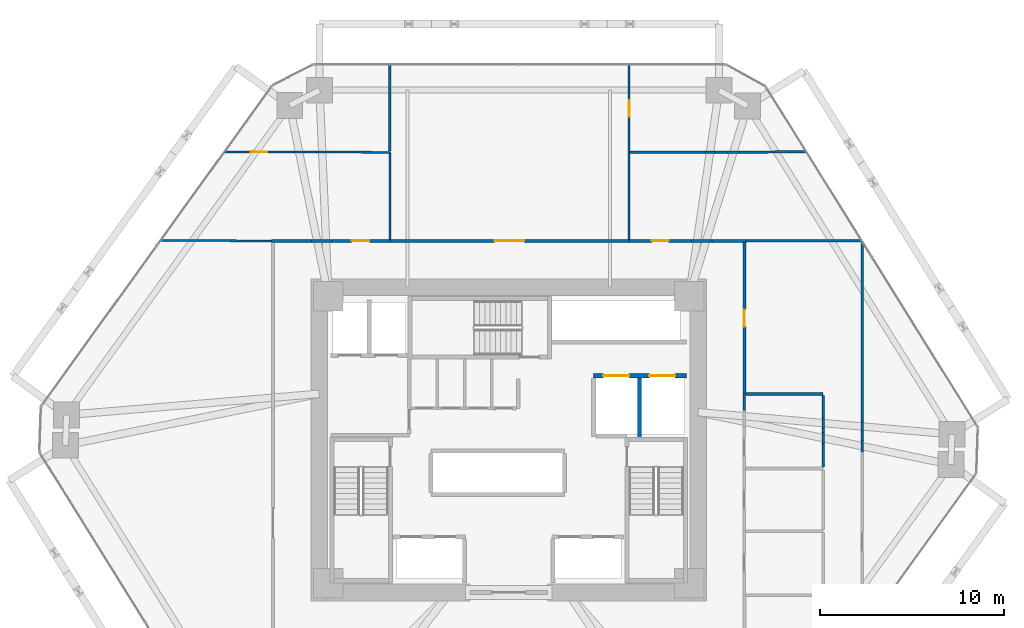
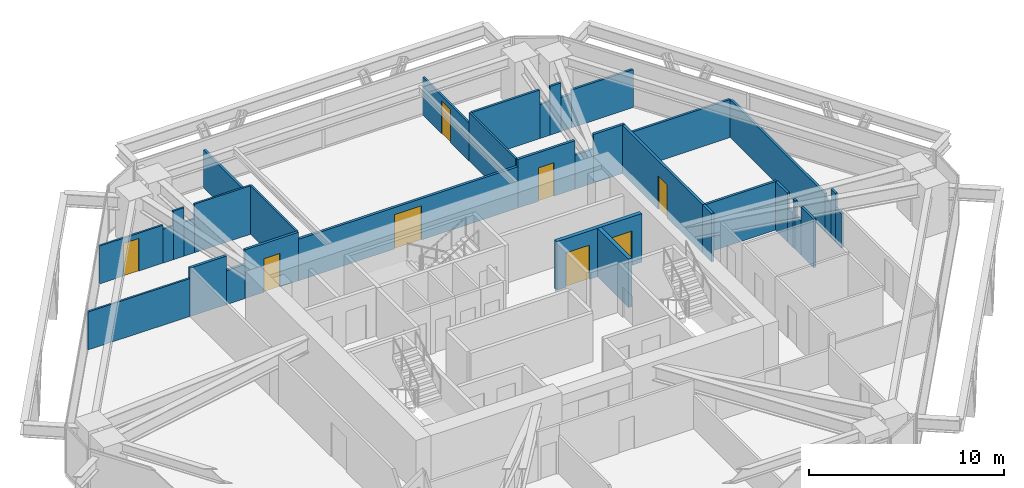
# One storey, part 13 of 15: 37 walls, 8 doors, 8 openings.
"""IFC4 building model written with IfcOpenShell, lengths in metres."""

from ifc_helpers import new_model, si_unit, direction, frame, frame_2d, origin, place, context, subcontext, project, spatial, rectangle, extrude, source, transform, mapped, material, layer, layer_set, type_object, type_shapes, element, fill, save


model = new_model("IFC4")

# Units and contexts
model_context = context("Model", 3, precision=1e-05, world=origin(), true_north=direction((0.0, 1.0)))
body_context = subcontext(model_context, "Body", "Model", "MODEL_VIEW")
ifc_project = project(units=[si_unit("LENGTHUNIT", "METRE"), si_unit("AREAUNIT", "SQUARE_METRE"), si_unit("VOLUMEUNIT", "CUBIC_METRE"), si_unit("PLANEANGLEUNIT", "RADIAN"), si_unit("MASSUNIT", "GRAM", prefix="KILO")], contexts=[model_context])

# Site, building, storey
site_placement = place(None, origin())
site = spatial("IfcSite", under=ifc_project, at=site_placement, CompositionType="ELEMENT")
building_placement = place(site_placement, origin())
building = spatial("IfcBuilding", under=site, at=building_placement, Name="Durnholm Broadcast Tower", CompositionType="ELEMENT")
storey_placement = place(building_placement, frame((0.0, 0.0, 55.5)))
storey = spatial("IfcBuildingStorey", under=building, at=storey_placement, Name="L13", CompositionType="ELEMENT", Elevation=55.5)

# Wall, opening, door
ifc_material_1 = material(Name="Operable Acoustic Panel Partition", Category="aluminium")
ifc_layer_1 = layer(ifc_material_1, 0.110107421875)
ifc_layer_set_1 = layer_set([ifc_layer_1], Name="Operable Acoustic Panel Partition")
wall_type_1 = type_object("IfcWallType", Name="WALL-MOV-110", PredefinedType="MOVABLE", material=ifc_layer_set_1)
wall_1_placement = place(storey_placement, frame((-15.4501953125, 15.6484375, 0.0), z_axis=(0.0, 0.0, 1.0), x_axis=(0.999996606967, -0.002605005814, 0.0)))
wall_1 = element("IfcWall", 1, at=wall_1_placement, inside=storey, type_object=wall_type_1, Name="L13 room dividing partition 8.9", PredefinedType="MOVABLE", context=body_context, shape_type="SweptSolid", body=[
    extrude(rectangle(XDim=3.748779296875, YDim=0.110107421875, at=frame_2d((1.87451171875, 0.0))), origin(), (0.0, 0.0, 1.0), 2.3798828125),
])
opening_1_placement = place(wall_1_placement, frame((1.424560546875, 0.0, 0.0)))
opening_1 = element("IfcOpeningElement", 2, at=opening_1_placement, cuts=wall_1, Name="Opening DW-90L", PredefinedType="OPENING", context=body_context, shape_type="SweptSolid", body=[
    extrude(rectangle(XDim=0.89990234375, YDim=2.050048828125, at=frame_2d((0.449951171875, 1.02490234375))), frame((0.0, 0.06494140625, 0.0), z_axis=(0.0, -1.0, 0.0), x_axis=(1.0, 0.0, 0.0)), (0.0, 0.0, 1.0), 0.130126953125),
])
ifc_material_2 = material(Name="Laminate Restroom Door", Category="steel")
ifc_layer_2 = layer(ifc_material_2, 0.050048828125)
ifc_layer_set_2 = layer_set([ifc_layer_2], Name="Laminate Restroom Door")
door_type_1 = type_object("IfcDoorType", Name="DOOR-WC-900L", OperationType="NOTDEFINED", PredefinedType="DOOR", material=ifc_layer_set_2)
shared_shape_1 = source(origin(), body_context, "Body", "SweptSolid", [
    extrude(rectangle(XDim=0.89990234375, YDim=2.050048828125, at=frame_2d((0.449951171875, 1.02490234375))), frame((0.0, 0.02490234375, 0.0), z_axis=(0.0, -1.0, 0.0), x_axis=(1.0, 0.0, 0.0)), (0.0, 0.0, 1.0), 0.050048828125),
])
type_shapes(door_type_1, [shared_shape_1])
door_1_placement = place(opening_1_placement, origin())
door_1 = element("IfcDoor", 3, at=door_1_placement, inside=storey, type_object=door_type_1, Name="L13 Open Plan Broadcast Workspace 3 connecting door", OperationType="SINGLE_SWING_LEFT", OverallHeight=2.050048828125, OverallWidth=0.89990234375, PredefinedType="DOOR", context=body_context, shape_type="MappedRepresentation", body=[
    mapped(shared_shape_1, transform((0.0, 0.0, 0.0), x_axis=(1.0, 0.0, 0.0), y_axis=(0.0, 1.0, 0.0), z_axis=(0.0, 0.0, 1.0), scale=1.0)),
])
fill(opening_1, door_1)

# Walls
wall_2_placement = place(storey_placement, frame((-11.084716796875, 15.636962890625, 0.0), z_axis=(0.0, 0.0, 1.0), x_axis=(0.999997419321, -0.002271860854, 0.0)))
element("IfcWall", 4, at=wall_2_placement, inside=storey, type_object=wall_type_1, Name="L13 room dividing partition 8.9", PredefinedType="MOVABLE", context=body_context, shape_type="SweptSolid", body=[
    extrude(rectangle(XDim=0.644775390625, YDim=0.110107421875, at=frame_2d((0.322265625, 0.0))), origin(), (0.0, 0.0, 1.0), 3.044921875),
])
wall_3_placement = place(storey_placement, frame((-9.83544921875, 15.6337890625, 0.0), z_axis=(0.0, 0.0, 1.0), x_axis=(0.999996610156, -0.002603781135, 0.0)))
element("IfcWall", 5, at=wall_3_placement, inside=storey, type_object=wall_type_1, Name="L13 room dividing partition 8.9", PredefinedType="MOVABLE", context=body_context, shape_type="SweptSolid", body=[
    extrude(rectangle(XDim=3.37548828125, YDim=0.110107421875, at=frame_2d((1.687744140625, 0.0))), origin(), (0.0, 0.0, 1.0), 3.044921875),
])
wall_4_placement = place(storey_placement, frame((-11.701416015625, 15.638671875, 0.0), z_axis=(0.0, 0.0, 1.0), x_axis=(0.999996160304, -0.00277116909, 0.0)))
element("IfcWall", 6, at=wall_4_placement, inside=storey, type_object=wall_type_1, Name="L13 room dividing partition 8.9", PredefinedType="MOVABLE", context=body_context, shape_type="SweptSolid", body=[
    extrude(rectangle(XDim=0.61669921875, YDim=0.110107421875, at=frame_2d((0.308349609375, 0.0))), origin(), (0.0, 0.0, 1.0), 2.130126953125),
])
wall_5_placement = place(storey_placement, frame((-10.43994140625, 15.635498046875, 0.0), z_axis=(0.0, 0.0, 1.0), x_axis=(0.999996003662, -0.002827129251, 0.0)))
element("IfcWall", 7, at=wall_5_placement, inside=storey, type_object=wall_type_1, Name="L13 room dividing partition 8.9", PredefinedType="MOVABLE", context=body_context, shape_type="SweptSolid", body=[
    extrude(rectangle(XDim=0.6044921875, YDim=0.110107421875, at=frame_2d((0.30224609375, 0.0))), origin(), (0.0, 0.0, 1.0), 2.130126953125),
])
wall_6_placement = place(storey_placement, frame((-6.4599609375, 15.625, 0.0), z_axis=(0.0, 0.0, 1.0), x_axis=(0.0, -1.0, 0.0)))
element("IfcWall", 8, at=wall_6_placement, inside=storey, type_object=wall_type_1, Name="L13 room dividing partition 8.10", PredefinedType="MOVABLE", context=body_context, shape_type="SweptSolid", body=[
    extrude(rectangle(XDim=4.736083984375, YDim=0.110107421875, at=frame_2d((2.3681640625, 0.0))), origin(), (0.0, 0.0, 1.0), 3.044921875),
])
wall_7_placement = place(storey_placement, frame((-12.889892578125, 10.810302734375, 0.0), z_axis=(0.0, 0.0, 1.0), x_axis=(-0.999992607823, 0.003845035728, 0.0)))
element("IfcWall", 9, at=wall_7_placement, inside=storey, type_object=wall_type_1, Name="L13 room dividing partition 8.18", PredefinedType="MOVABLE", context=body_context, shape_type="SweptSolid", body=[
    extrude(rectangle(XDim=6.031982421875, YDim=0.110107421875, at=frame_2d((3.01611328125, 0.0))), origin(), (0.0, 0.0, 1.0), 2.3798828125),
])
wall_8_placement = place(storey_placement, frame((6.5400390625, 15.625, 0.0), z_axis=(0.0, 0.0, 1.0), x_axis=(0.0, -1.0, 0.0)))
element("IfcWall", 10, at=wall_8_placement, inside=storey, type_object=wall_type_1, Name="L13 room dividing partition 10.11", PredefinedType="MOVABLE", context=body_context, shape_type="SweptSolid", body=[
    extrude(rectangle(XDim=4.736083984375, YDim=0.110107421875, at=frame_2d((2.3681640625, 0.0))), origin(), (0.0, 0.0, 1.0), 3.044921875),
])

# Wall, opening, door
wall_9_placement = place(storey_placement, frame((6.5400390625, 20.39990234375, 0.0), z_axis=(0.0, 0.0, 1.0), x_axis=(0.0, -1.0, 0.0)))
wall_9 = element("IfcWall", 11, at=wall_9_placement, inside=storey, type_object=wall_type_1, Name="L13 room dividing partition 10.12", PredefinedType="MOVABLE", context=body_context, shape_type="SweptSolid", body=[
    extrude(rectangle(XDim=4.77490234375, YDim=0.110107421875, at=frame_2d((2.387451171875, 0.0))), origin(), (0.0, 0.0, 1.0), 2.3798828125),
])
opening_2_placement = place(wall_9_placement, frame((1.9375, 0.0, 0.0)))
opening_2 = element("IfcOpeningElement", 12, at=opening_2_placement, cuts=wall_9, Name="Opening DW-90L", PredefinedType="OPENING", context=body_context, shape_type="SweptSolid", body=[
    extrude(rectangle(XDim=0.89990234375, YDim=2.050048828125, at=frame_2d((0.449951171875, 1.02490234375))), frame((0.0, 0.06494140625, 0.0), z_axis=(0.0, -1.0, 0.0), x_axis=(1.0, 0.0, 0.0)), (0.0, 0.0, 1.0), 0.130126953125),
])
door_2_placement = place(opening_2_placement, origin())
door_2 = element("IfcDoor", 13, at=door_2_placement, inside=storey, type_object=door_type_1, Name="L13 Broadcast Kitchen connecting door", OperationType="SINGLE_SWING_LEFT", OverallHeight=2.050048828125, OverallWidth=0.89990234375, PredefinedType="DOOR", context=body_context, shape_type="MappedRepresentation", body=[
    mapped(shared_shape_1, transform((0.0, 0.0, 0.0), x_axis=(1.0, 0.0, 0.0), y_axis=(0.0, 1.0, 0.0), z_axis=(0.0, 0.0, 1.0), scale=1.0)),
])
fill(opening_2, door_2)

# Walls
ifc_material_3 = material(Name="Gypsum Metal Stud Partition", Category="concrete")
ifc_layer_3 = layer(ifc_material_3, 0.135009765625)
ifc_layer_set_3 = layer_set([ifc_layer_3], Name="Gypsum Metal Stud Partition")
wall_type_2 = type_object("IfcWallType", Name="WALL-PART-135", PredefinedType="PARTITIONING", material=ifc_layer_set_3)
wall_10_placement = place(storey_placement, frame((-6.4599609375, 20.39990234375, 0.0), z_axis=(0.0, 0.0, 1.0), x_axis=(0.0, -1.0, 0.0)))
element("IfcWall", 14, at=wall_10_placement, inside=storey, type_object=wall_type_2, Name="L13 room dividing partition 9.10", PredefinedType="PARTITIONING", context=body_context, shape_type="SweptSolid", body=[
    extrude(rectangle(XDim=4.7158203125, YDim=0.135009765625, at=frame_2d((2.35791015625, 0.0))), origin(), (0.0, 0.0, 1.0), 2.3798828125),
])
wall_11_placement = place(storey_placement, frame((6.59912109375, 15.625244140625, 0.0), z_axis=(0.0, 0.0, 1.0), x_axis=(0.999997629622, 0.002177326398, 0.0)))
element("IfcWall", 15, at=wall_11_placement, inside=storey, type_object=wall_type_2, Name="L13 room dividing partition 11.12", PredefinedType="PARTITIONING", context=body_context, shape_type="SweptSolid", body=[
    extrude(rectangle(XDim=4.03662109375, YDim=0.135009765625, at=frame_2d((2.018310546875, 0.0))), origin(), (0.0, 0.0, 1.0), 3.044921875),
])
wall_12_placement = place(storey_placement, frame((11.246337890625, 15.635498046875, 0.0), z_axis=(0.0, 0.0, 1.0), x_axis=(0.999998237348, 0.001877578365, 0.0)))
element("IfcWall", 16, at=wall_12_placement, inside=storey, type_object=wall_type_2, Name="L13 room dividing partition 11.12", PredefinedType="PARTITIONING", context=body_context, shape_type="SweptSolid", body=[
    extrude(rectangle(XDim=0.650146484375, YDim=0.135009765625, at=frame_2d((0.3251953125, 0.0))), origin(), (0.0, 0.0, 1.0), 3.044921875),
])
wall_13_placement = place(storey_placement, frame((12.529052734375, 15.63818359375, 0.0), z_axis=(0.0, 0.0, 1.0), x_axis=(0.999997715323, 0.002137603667, 0.0)))
element("IfcWall", 17, at=wall_13_placement, inside=storey, type_object=wall_type_2, Name="L13 room dividing partition 11.12", PredefinedType="PARTITIONING", context=body_context, shape_type="SweptSolid", body=[
    extrude(rectangle(XDim=3.65478515625, YDim=0.135009765625, at=frame_2d((1.827392578125, 0.0))), origin(), (0.0, 0.0, 1.0), 2.3798828125),
])
wall_14_placement = place(storey_placement, frame((10.6357421875, 15.634033203125, 0.0), z_axis=(0.0, 0.0, 1.0), x_axis=(0.999997122315, 0.00239903348, 0.0)))
element("IfcWall", 18, at=wall_14_placement, inside=storey, type_object=wall_type_2, Name="L13 room dividing partition 11.12", PredefinedType="PARTITIONING", context=body_context, shape_type="SweptSolid", body=[
    extrude(rectangle(XDim=0.610595703125, YDim=0.135009765625, at=frame_2d((0.30517578125, 0.0))), origin(), (0.0, 0.0, 1.0), 2.130126953125),
])
wall_15_placement = place(storey_placement, frame((11.896484375, 15.63671875, 0.0), z_axis=(0.0, 0.0, 1.0), x_axis=(0.999997318759, 0.002315702012, 0.0)))
element("IfcWall", 19, at=wall_15_placement, inside=storey, type_object=wall_type_2, Name="L13 room dividing partition 11.12", PredefinedType="PARTITIONING", context=body_context, shape_type="SweptSolid", body=[
    extrude(rectangle(XDim=0.632568359375, YDim=0.135009765625, at=frame_2d((0.31640625, 0.0))), origin(), (0.0, 0.0, 1.0), 2.130126953125),
])
wall_16_placement = place(storey_placement, frame((19.18212890625, 10.831298828125, 0.0), z_axis=(0.0, 0.0, 1.0), x_axis=(-0.999994432845, -0.003336806783, 0.0)))
element("IfcWall", 20, at=wall_16_placement, inside=storey, type_object=wall_type_2, Name="L13 room dividing partition 11.19", PredefinedType="PARTITIONING", context=body_context, shape_type="SweptSolid", body=[
    extrude(rectangle(XDim=6.292236328125, YDim=0.135009765625, at=frame_2d((3.14599609375, 0.0))), origin(), (0.0, 0.0, 1.0), 2.3798828125),
])
wall_17_placement = place(storey_placement, frame((19.2109375, 10.784912109375, 0.0), z_axis=(0.0, 0.0, 1.0), x_axis=(-7.5063804e-05, -0.999999997183, 0.0)))
element("IfcWall", 21, at=wall_17_placement, inside=storey, type_object=wall_type_2, Name="L13 room dividing partition 19.20", PredefinedType="PARTITIONING", context=body_context, shape_type="SweptSolid", body=[
    extrude(rectangle(XDim=9.75732421875, YDim=0.135009765625, at=frame_2d((4.878662109375, 0.0))), origin(), (0.0, 0.0, 1.0), 2.3798828125),
])
wall_18_placement = place(storey_placement, frame((19.210205078125, 0.42138671875, 0.0), z_axis=(0.0, 0.0, 1.0), x_axis=(0.0, -1.0, 0.0)))
element("IfcWall", 22, at=wall_18_placement, inside=storey, type_object=wall_type_2, Name="L13 room dividing partition 19.20", PredefinedType="PARTITIONING", context=body_context, shape_type="SweptSolid", body=[
    extrude(rectangle(XDim=0.460205078125, YDim=0.135009765625, at=frame_2d((0.22998046875, 0.0))), origin(), (0.0, 0.0, 1.0), 3.044921875),
])
wall_19_placement = place(storey_placement, frame((19.210205078125, 1.027587890625, 0.0), z_axis=(0.0, 0.0, 1.0), x_axis=(0.0, -1.0, 0.0)))
element("IfcWall", 23, at=wall_19_placement, inside=storey, type_object=wall_type_2, Name="L13 room dividing partition 19.20", PredefinedType="PARTITIONING", context=body_context, shape_type="SweptSolid", body=[
    extrude(rectangle(XDim=0.606201171875, YDim=0.135009765625, at=frame_2d((0.30322265625, 0.0))), origin(), (0.0, 0.0, 1.0), 2.130126953125),
])
wall_20_placement = place(storey_placement, frame((19.210205078125, -0.038818359375, 0.0), z_axis=(0.0, 0.0, 1.0), x_axis=(0.0, -1.0, 0.0)))
element("IfcWall", 24, at=wall_20_placement, inside=storey, type_object=wall_type_2, Name="L13 room dividing partition 19.20", PredefinedType="PARTITIONING", context=body_context, shape_type="SweptSolid", body=[
    extrude(rectangle(XDim=0.61669921875, YDim=0.135009765625, at=frame_2d((0.308349609375, 0.0))), origin(), (0.0, 0.0, 1.0), 2.130126953125),
])

# Wall, opening, door
ifc_material_4 = material(Name="Acoustic Gypsum Stud Partition", Category="concrete")
ifc_layer_4 = layer(ifc_material_4, 0.14990234375)
ifc_layer_set_4 = layer_set([ifc_layer_4], Name="Acoustic Gypsum Stud Partition")
wall_type_3 = type_object("IfcWallType", Name="WALL-PART-150", PredefinedType="PARTITIONING", material=ifc_layer_set_4)
wall_21_placement = place(storey_placement, frame((-6.4599609375, 10.81005859375, 0.0), z_axis=(0.0, 0.0, 1.0), x_axis=(-1.0, 0.0, 0.0)))
wall_21 = element("IfcWall", 25, at=wall_21_placement, inside=storey, type_object=wall_type_3, Name="L13 Weather Seminar Meeting Room corridor partition", PredefinedType="PARTITIONING", context=body_context, shape_type="SweptSolid", body=[
    extrude(rectangle(XDim=3.16748046875, YDim=0.14990234375, at=frame_2d((1.583740234375, 0.0))), origin(), (0.0, 0.0, 1.0), 3.044921875),
])
opening_3_placement = place(wall_21_placement, frame((1.108642578125, 0.0, 0.0)))
opening_3 = element("IfcOpeningElement", 26, at=opening_3_placement, cuts=wall_21, Name="Opening DR-95R", PredefinedType="OPENING", context=body_context, shape_type="SweptSolid", body=[
    extrude(rectangle(XDim=0.949951171875, YDim=2.10009765625, at=frame_2d((0.47509765625, 1.050048828125))), frame((0.0, 0.0849609375, 0.0), z_axis=(0.0, -1.0, 0.0), x_axis=(1.0, 0.0, 0.0)), (0.0, 0.0, 1.0), 0.169921875),
])
ifc_material_5 = material(Name="Acoustic Oak Veneer Timber Door", Category="wood")
ifc_layer_5 = layer(ifc_material_5, 0.050048828125)
ifc_layer_set_5 = layer_set([ifc_layer_5], Name="Acoustic Oak Veneer Timber Door")
door_type_2 = type_object("IfcDoorType", Name="DOOR-RM-950R", OperationType="NOTDEFINED", PredefinedType="DOOR", material=ifc_layer_set_5)
shared_shape_2 = source(origin(), body_context, "Body", "SweptSolid", [
    extrude(rectangle(XDim=0.949951171875, YDim=2.10009765625, at=frame_2d((0.47509765625, 1.050048828125))), frame((0.0, 0.02490234375, 0.0), z_axis=(0.0, -1.0, 0.0), x_axis=(1.0, 0.0, 0.0)), (0.0, 0.0, 1.0), 0.050048828125),
])
type_shapes(door_type_2, [shared_shape_2])
door_3_placement = place(opening_3_placement, origin())
door_3 = element("IfcDoor", 27, at=door_3_placement, inside=storey, type_object=door_type_2, Name="L13 Weather Seminar Meeting Room entrance door", OperationType="SINGLE_SWING_RIGHT", OverallHeight=2.10009765625, OverallWidth=0.949951171875, PredefinedType="DOOR", context=body_context, shape_type="MappedRepresentation", body=[
    mapped(shared_shape_2, transform((0.0, 0.0, 0.0), x_axis=(1.0, 0.0, 0.0), y_axis=(0.0, 1.0, 0.0), z_axis=(0.0, 0.0, 1.0), scale=1.0)),
])
fill(opening_3, door_3)

# Walls
wall_22_placement = place(storey_placement, frame((-10.719970703125, 10.81005859375, 0.0), z_axis=(0.0, 0.0, 1.0), x_axis=(-1.0, 0.0, 0.0)))
element("IfcWall", 28, at=wall_22_placement, inside=storey, type_object=wall_type_3, Name="L13 Weather Seminar Meeting Room corridor partition", PredefinedType="PARTITIONING", context=body_context, shape_type="SweptSolid", body=[
    extrude(rectangle(XDim=2.169921875, YDim=0.14990234375, at=frame_2d((1.0849609375, 0.0))), origin(), (0.0, 0.0, 1.0), 3.044921875),
])
wall_23_placement = place(storey_placement, frame((-9.62744140625, 10.81005859375, 0.0), z_axis=(0.0, 0.0, 1.0), x_axis=(-1.0, 0.0, 0.0)))
element("IfcWall", 29, at=wall_23_placement, inside=storey, type_object=wall_type_3, Name="L13 Weather Seminar Meeting Room corridor partition", PredefinedType="PARTITIONING", context=body_context, shape_type="SweptSolid", body=[
    extrude(rectangle(XDim=1.092529296875, YDim=0.14990234375, at=frame_2d((0.54638671875, 0.0))), origin(), (0.0, 0.0, 1.0), 2.130126953125),
])

# Wall, opening, door
wall_24_placement = place(storey_placement, frame((6.5400390625, 10.81005859375, 0.0), z_axis=(0.0, 0.0, 1.0), x_axis=(-1.0, 0.0, 0.0)))
wall_24 = element("IfcWall", 30, at=wall_24_placement, inside=storey, type_object=wall_type_3, Name="L13 Documentary Screening Hall corridor partition", PredefinedType="PARTITIONING", context=body_context, shape_type="SweptSolid", body=[
    extrude(rectangle(XDim=13.0, YDim=0.14990234375, at=frame_2d((6.5, 0.0))), origin(), (0.0, 0.0, 1.0), 2.59765625),
])
opening_4_placement = place(wall_24_placement, frame((5.699951171875, 0.0, 0.0)))
opening_4 = element("IfcOpeningElement", 31, at=opening_4_placement, cuts=wall_24, Name="Opening DST-160", PredefinedType="OPENING", context=body_context, shape_type="SweptSolid", body=[
    extrude(rectangle(XDim=1.60009765625, YDim=2.14990234375, at=frame_2d((0.800048828125, 1.074951171875))), frame((0.0, 0.0849609375, 0.0), z_axis=(0.0, -1.0, 0.0), x_axis=(1.0, 0.0, 0.0)), (0.0, 0.0, 1.0), 0.169921875),
])
ifc_material_6 = material(Name="Acoustic Broadcast Studio Sound-Lock Door", Category="steel")
ifc_layer_6 = layer(ifc_material_6, 0.050048828125)
ifc_layer_set_6 = layer_set([ifc_layer_6], Name="Acoustic Broadcast Studio Sound-Lock Door")
door_type_3 = type_object("IfcDoorType", Name="DOOR-STU-1600", OperationType="DOUBLE_DOOR_SINGLE_SWING", PredefinedType="DOOR", material=ifc_layer_set_6)
shared_shape_3 = source(origin(), body_context, "Body", "SweptSolid", [
    extrude(rectangle(XDim=1.60009765625, YDim=2.14990234375, at=frame_2d((0.800048828125, 1.074951171875))), frame((0.0, 0.02490234375, 0.0), z_axis=(0.0, -1.0, 0.0), x_axis=(1.0, 0.0, 0.0)), (0.0, 0.0, 1.0), 0.050048828125),
])
type_shapes(door_type_3, [shared_shape_3])
door_4_placement = place(opening_4_placement, origin())
door_4 = element("IfcDoor", 32, at=door_4_placement, inside=storey, type_object=door_type_3, Name="L13 Documentary Screening Hall entrance door", OperationType="DOUBLE_DOOR_SINGLE_SWING", OverallHeight=2.14990234375, OverallWidth=1.60009765625, PredefinedType="DOOR", context=body_context, shape_type="MappedRepresentation", body=[
    mapped(shared_shape_3, transform((0.0, 0.0, 0.0), x_axis=(1.0, 0.0, 0.0), y_axis=(0.0, 1.0, 0.0), z_axis=(0.0, 0.0, 1.0), scale=1.0)),
])
fill(opening_4, door_4)

# Wall
wall_25_placement = place(storey_placement, frame((12.889892578125, 10.81005859375, 0.0), z_axis=(0.0, 0.0, 1.0), x_axis=(-1.0, 0.0, 0.0)))
element("IfcWall", 33, at=wall_25_placement, inside=storey, type_object=wall_type_3, Name="L13 Sound Review Lounge corridor partition", PredefinedType="PARTITIONING", context=body_context, shape_type="SweptSolid", body=[
    extrude(rectangle(XDim=1.847412109375, YDim=0.14990234375, at=frame_2d((0.923828125, 0.0))), origin(), (0.0, 0.0, 1.0), 3.044921875),
])

# Wall, opening, door
wall_26_placement = place(storey_placement, frame((9.93310546875, 10.81005859375, 0.0), z_axis=(0.0, 0.0, 1.0), x_axis=(-1.0, 0.0, 0.0)))
wall_26 = element("IfcWall", 34, at=wall_26_placement, inside=storey, type_object=wall_type_3, Name="L13 Sound Review Lounge corridor partition", PredefinedType="PARTITIONING", context=body_context, shape_type="SweptSolid", body=[
    extrude(rectangle(XDim=3.39306640625, YDim=0.14990234375, at=frame_2d((1.696533203125, 0.0))), origin(), (0.0, 0.0, 1.0), 3.044921875),
])
opening_5_placement = place(wall_26_placement, frame((1.236572265625, 0.0, 0.0)))
opening_5 = element("IfcOpeningElement", 35, at=opening_5_placement, cuts=wall_26, Name="Opening DR-92R", PredefinedType="OPENING", context=body_context, shape_type="SweptSolid", body=[
    extrude(rectangle(XDim=0.919921875, YDim=2.10009765625, at=frame_2d((0.4599609375, 1.050048828125))), frame((0.0, 0.0849609375, 0.0), z_axis=(0.0, -1.0, 0.0), x_axis=(1.0, 0.0, 0.0)), (0.0, 0.0, 1.0), 0.169921875),
])
ifc_material_7 = material(Name="Oak Veneer Office Door", Category="wood")
ifc_layer_7 = layer(ifc_material_7, 0.050048828125)
ifc_layer_set_7 = layer_set([ifc_layer_7], Name="Oak Veneer Office Door")
door_type_4 = type_object("IfcDoorType", Name="DOOR-RM-920R", OperationType="NOTDEFINED", PredefinedType="DOOR", material=ifc_layer_set_7)
shared_shape_4 = source(origin(), body_context, "Body", "SweptSolid", [
    extrude(rectangle(XDim=0.919921875, YDim=2.10009765625, at=frame_2d((0.4599609375, 1.050048828125))), frame((0.0, 0.02490234375, 0.0), z_axis=(0.0, -1.0, 0.0), x_axis=(1.0, 0.0, 0.0)), (0.0, 0.0, 1.0), 0.050048828125),
])
type_shapes(door_type_4, [shared_shape_4])
door_5_placement = place(opening_5_placement, origin())
door_5 = element("IfcDoor", 36, at=door_5_placement, inside=storey, type_object=door_type_4, Name="L13 Sound Review Lounge entrance door", OperationType="SINGLE_SWING_RIGHT", OverallHeight=2.10009765625, OverallWidth=0.919921875, PredefinedType="DOOR", context=body_context, shape_type="MappedRepresentation", body=[
    mapped(shared_shape_4, transform((0.0, 0.0, 0.0), x_axis=(1.0, 0.0, 0.0), y_axis=(0.0, 1.0, 0.0), z_axis=(0.0, 0.0, 1.0), scale=1.0)),
])
fill(opening_5, door_5)

# Wall
wall_27_placement = place(storey_placement, frame((11.04248046875, 10.81005859375, 0.0), z_axis=(0.0, 0.0, 1.0), x_axis=(-1.0, 0.0, 0.0)))
element("IfcWall", 37, at=wall_27_placement, inside=storey, type_object=wall_type_3, Name="L13 Sound Review Lounge corridor partition", PredefinedType="PARTITIONING", context=body_context, shape_type="SweptSolid", body=[
    extrude(rectangle(XDim=1.109375, YDim=0.14990234375, at=frame_2d((0.5546875, 0.0))), origin(), (0.0, 0.0, 1.0), 2.130126953125),
])

# Wall, opening, door
wall_28_placement = place(storey_placement, frame((12.81005859375, 2.489990234375, 0.0), z_axis=(0.0, 0.0, 1.0), x_axis=(0.0, 1.0, 0.0)))
wall_28 = element("IfcWall", 38, at=wall_28_placement, inside=storey, type_object=wall_type_3, Name="L13 Sound Review Lounge corridor partition", PredefinedType="PARTITIONING", context=body_context, shape_type="SweptSolid", body=[
    extrude(rectangle(XDim=8.240966796875, YDim=0.14990234375, at=frame_2d((4.12060546875, 0.0))), origin(), (0.0, 0.0, 1.0), 3.044921875),
])
opening_6_placement = place(wall_28_placement, frame((3.660400390625, 0.0, 0.0)))
opening_6 = element("IfcOpeningElement", 39, at=opening_6_placement, cuts=wall_28, Name="Opening DR-92L", PredefinedType="OPENING", context=body_context, shape_type="SweptSolid", body=[
    extrude(rectangle(XDim=0.919921875, YDim=2.10009765625, at=frame_2d((0.4599609375, 1.050048828125))), frame((0.0, 0.0849609375, 0.0), z_axis=(0.0, -1.0, 0.0), x_axis=(1.0, 0.0, 0.0)), (0.0, 0.0, 1.0), 0.169921875),
])
ifc_layer_8 = layer(ifc_material_7, 0.050048828125)
ifc_layer_set_8 = layer_set([ifc_layer_8], Name="Oak Veneer Office Door")
door_type_5 = type_object("IfcDoorType", Name="DOOR-RM-920L", OperationType="NOTDEFINED", PredefinedType="DOOR", material=ifc_layer_set_8)
shared_shape_5 = source(origin(), body_context, "Body", "SweptSolid", [
    extrude(rectangle(XDim=0.919921875, YDim=2.10009765625, at=frame_2d((0.4599609375, 1.050048828125))), frame((0.0, 0.02490234375, 0.0), z_axis=(0.0, -1.0, 0.0), x_axis=(1.0, 0.0, 0.0)), (0.0, 0.0, 1.0), 0.050048828125),
])
type_shapes(door_type_5, [shared_shape_5])
door_6_placement = place(opening_6_placement, origin())
door_6 = element("IfcDoor", 40, at=door_6_placement, inside=storey, type_object=door_type_5, Name="L13 Sound Review Lounge entrance door", OperationType="SINGLE_SWING_LEFT", OverallHeight=2.10009765625, OverallWidth=0.919921875, PredefinedType="DOOR", context=body_context, shape_type="MappedRepresentation", body=[
    mapped(shared_shape_5, transform((0.0, 0.0, 0.0), x_axis=(1.0, 0.0, 0.0), y_axis=(0.0, 1.0, 0.0), z_axis=(0.0, 0.0, 1.0), scale=1.0)),
])
fill(opening_6, door_6)

# Wall, openings, doors
ifc_material_8 = material(Name="Concrete Blockwork C30/37", Category="masonry")
ifc_layer_9 = layer(ifc_material_8, 0.219970703125)
ifc_layer_set_9 = layer_set([ifc_layer_9], Name="Concrete Blockwork C30/37")
wall_type_4 = type_object("IfcWallType", Name="WALL-SHAFT-220", PredefinedType="SOLIDWALL", material=ifc_layer_set_9)
wall_29_placement = place(storey_placement, frame((4.60009765625, 3.47998046875, 0.0), z_axis=(0.0, 0.0, 1.0), x_axis=(1.0, 0.0, 0.0)))
wall_29 = element("IfcWall", 41, at=wall_29_placement, inside=storey, type_object=wall_type_4, Name="L13 freight service lifts north front wall", PredefinedType="SOLIDWALL", context=body_context, shape_type="SweptSolid", body=[
    extrude(rectangle(XDim=5.0498046875, YDim=0.219970703125, at=frame_2d((2.52490234375, 0.0))), origin(), (0.0, 0.0, 1.0), 3.044921875),
])
opening_7_placement = place(wall_29_placement, frame((0.550048828125, 0.0, 0.0)))
opening_7 = element("IfcOpeningElement", 42, at=opening_7_placement, cuts=wall_29, Name="Opening LD-SVL-2", PredefinedType="OPENING", context=body_context, shape_type="SweptSolid", body=[
    extrude(rectangle(XDim=1.39990234375, YDim=2.14990234375, at=frame_2d((0.699951171875, 1.074951171875))), frame((0.0, 0.1201171875, 0.0), z_axis=(0.0, -1.0, 0.0), x_axis=(1.0, 0.0, 0.0)), (0.0, 0.0, 1.0), 0.239990234375),
])
opening_8_placement = place(wall_29_placement, frame((3.050048828125, 0.0, 0.0)))
opening_8 = element("IfcOpeningElement", 43, at=opening_8_placement, cuts=wall_29, Name="Opening LD-SVL-1", PredefinedType="OPENING", context=body_context, shape_type="SweptSolid", body=[
    extrude(rectangle(XDim=1.39990234375, YDim=2.14990234375, at=frame_2d((0.699951171875, 1.074951171875))), frame((0.0, 0.1201171875, 0.0), z_axis=(0.0, -1.0, 0.0), x_axis=(1.0, 0.0, 0.0)), (0.0, 0.0, 1.0), 0.239990234375),
])
ifc_material_9 = material(Name="Freight Elevator Bi-Parting Sliding Landing Door", Category="steel")
ifc_layer_10 = layer(ifc_material_9, 0.050048828125)
ifc_layer_set_10 = layer_set([ifc_layer_10], Name="Freight Elevator Bi-Parting Sliding Landing Door")
door_type_6 = type_object("IfcDoorType", Name="DOOR-LIFT-SVL", OperationType="DOUBLE_DOOR_SLIDING", PredefinedType="DOOR", material=ifc_layer_set_10)
shared_shape_6 = source(origin(), body_context, "Body", "SweptSolid", [
    extrude(rectangle(XDim=1.39990234375, YDim=2.14990234375, at=frame_2d((0.699951171875, 1.074951171875))), frame((0.0, 0.02490234375, 0.0), z_axis=(0.0, -1.0, 0.0), x_axis=(1.0, 0.0, 0.0)), (0.0, 0.0, 1.0), 0.050048828125),
])
type_shapes(door_type_6, [shared_shape_6])
door_7_placement = place(opening_7_placement, origin())
door_7 = element("IfcDoor", 44, at=door_7_placement, inside=storey, type_object=door_type_6, Name="L13 freight service elevator SVL-2 sliding landing door", OperationType="DOUBLE_DOOR_SLIDING", OverallHeight=2.14990234375, OverallWidth=1.39990234375, PredefinedType="DOOR", context=body_context, shape_type="MappedRepresentation", body=[
    mapped(shared_shape_6, transform((0.0, 0.0, 0.0), x_axis=(1.0, 0.0, 0.0), y_axis=(0.0, 1.0, 0.0), z_axis=(0.0, 0.0, 1.0), scale=1.0)),
])
fill(opening_7, door_7)
door_8_placement = place(opening_8_placement, origin())
door_8 = element("IfcDoor", 45, at=door_8_placement, inside=storey, type_object=door_type_6, Name="L13 freight service elevator SVL-1 sliding landing door", OperationType="DOUBLE_DOOR_SLIDING", OverallHeight=2.14990234375, OverallWidth=1.39990234375, PredefinedType="DOOR", context=body_context, shape_type="MappedRepresentation", body=[
    mapped(shared_shape_6, transform((0.0, 0.0, 0.0), x_axis=(1.0, 0.0, 0.0), y_axis=(0.0, 1.0, 0.0), z_axis=(0.0, 0.0, 1.0), scale=1.0)),
])
fill(opening_8, door_8)

# Walls
wall_30_placement = place(storey_placement, frame((7.1201171875, 0.179931640625, 0.0), z_axis=(0.0, 0.0, 1.0), x_axis=(0.0, 1.0, 0.0)))
element("IfcWall", 46, at=wall_30_placement, inside=storey, type_object=wall_type_4, Name="L13 freight service lifts divider wall", PredefinedType="SOLIDWALL", context=body_context, shape_type="SweptSolid", body=[
    extrude(rectangle(XDim=3.18603515625, YDim=0.219970703125, at=frame_2d((1.593017578125, 0.0))), origin(), (0.0, 0.0, 1.0), 3.044921875),
])
ifc_material_10 = material(Name="Moisture-Resistant Tile Partition", Category="concrete")
ifc_layer_11 = layer(ifc_material_10, 0.139892578125)
ifc_layer_set_11 = layer_set([ifc_layer_11], Name="Moisture-Resistant Tile Partition")
wall_type_5 = type_object("IfcWallType", Name="WALL-WC-140", PredefinedType="PARTITIONING", material=ifc_layer_set_11)
wall_31_placement = place(storey_placement, frame((12.81005859375, 1.584716796875, 0.0), z_axis=(0.0, 0.0, 1.0), x_axis=(0.0, 1.0, 0.0)))
element("IfcWall", 47, at=wall_31_placement, inside=storey, type_object=wall_type_5, Name="L13 Accessible Restroom corridor partition", PredefinedType="PARTITIONING", context=body_context, shape_type="SweptSolid", body=[
    extrude(rectangle(XDim=0.9052734375, YDim=0.139892578125, at=frame_2d((0.45263671875, 0.0))), origin(), (0.0, 0.0, 1.0), 3.044921875),
])
wall_32_placement = place(storey_placement, frame((12.888916015625, 2.489990234375, 0.0), z_axis=(0.0, 0.0, 1.0), x_axis=(1.0, 0.0, 0.0)))
element("IfcWall", 48, at=wall_32_placement, inside=storey, type_object=wall_type_5, Name="L13 room dividing partition 7.19", PredefinedType="PARTITIONING", context=body_context, shape_type="SweptSolid", body=[
    extrude(rectangle(XDim=4.201171875, YDim=0.139892578125, at=frame_2d((2.1005859375, 0.0))), origin(), (0.0, 0.0, 1.0), 3.044921875),
])
wall_33_placement = place(storey_placement, frame((17.090087890625, 2.416015625, 0.0), z_axis=(0.0, 0.0, 1.0), x_axis=(0.0, -1.0, 0.0)))
element("IfcWall", 49, at=wall_33_placement, inside=storey, type_object=wall_type_5, Name="L13 room dividing partition 7.19", PredefinedType="PARTITIONING", context=body_context, shape_type="SweptSolid", body=[
    extrude(rectangle(XDim=1.203857421875, YDim=0.139892578125, at=frame_2d((0.60205078125, 0.0))), origin(), (0.0, 0.0, 1.0), 3.044921875),
])
wall_34_placement = place(storey_placement, frame((17.090087890625, 0.60595703125, 0.0), z_axis=(0.0, 0.0, 1.0), x_axis=(0.0, -1.0, 0.0)))
element("IfcWall", 50, at=wall_34_placement, inside=storey, type_object=wall_type_5, Name="L13 room dividing partition 7.19", PredefinedType="PARTITIONING", context=body_context, shape_type="SweptSolid", body=[
    extrude(rectangle(XDim=0.205078125, YDim=0.139892578125, at=frame_2d((0.1025390625, 0.0))), origin(), (0.0, 0.0, 1.0), 3.044921875),
])
wall_35_placement = place(storey_placement, frame((17.090087890625, -0.216064453125, 0.0), z_axis=(0.0, 0.0, 1.0), x_axis=(0.0, -1.0, 0.0)))
element("IfcWall", 51, at=wall_35_placement, inside=storey, type_object=wall_type_5, Name="L13 room dividing partition 7.19", PredefinedType="PARTITIONING", context=body_context, shape_type="SweptSolid", body=[
    extrude(rectangle(XDim=1.27001953125, YDim=0.139892578125, at=frame_2d((0.635009765625, 0.0))), origin(), (0.0, 0.0, 1.0), 3.044921875),
])
wall_36_placement = place(storey_placement, frame((17.090087890625, 1.212158203125, 0.0), z_axis=(0.0, 0.0, 1.0), x_axis=(0.0, -1.0, 0.0)))
element("IfcWall", 52, at=wall_36_placement, inside=storey, type_object=wall_type_5, Name="L13 room dividing partition 7.19", PredefinedType="PARTITIONING", context=body_context, shape_type="SweptSolid", body=[
    extrude(rectangle(XDim=0.606201171875, YDim=0.139892578125, at=frame_2d((0.30322265625, 0.0))), origin(), (0.0, 0.0, 1.0), 2.130126953125),
])
wall_37_placement = place(storey_placement, frame((17.090087890625, 0.40087890625, 0.0), z_axis=(0.0, 0.0, 1.0), x_axis=(0.0, -1.0, 0.0)))
element("IfcWall", 53, at=wall_37_placement, inside=storey, type_object=wall_type_5, Name="L13 room dividing partition 7.19", PredefinedType="PARTITIONING", context=body_context, shape_type="SweptSolid", body=[
    extrude(rectangle(XDim=0.616943359375, YDim=0.139892578125, at=frame_2d((0.30859375, 0.0))), origin(), (0.0, 0.0, 1.0), 2.130126953125),
])

save(model, "model.ifc")
